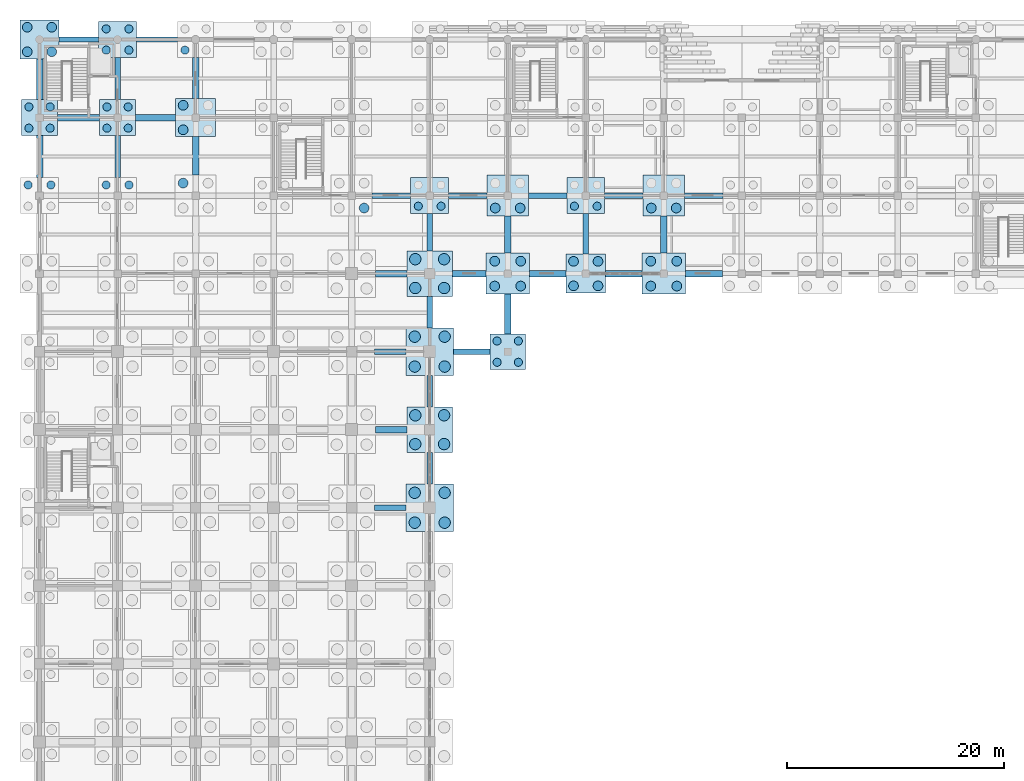
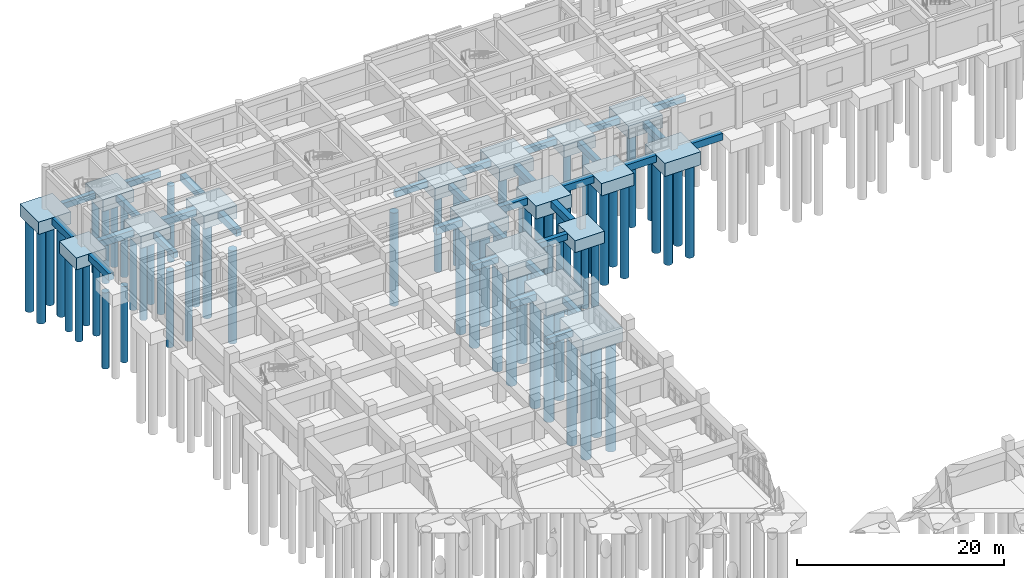
# One storey, part 8 of 79: 65 piles, 49 footings.
"""IFC4 building model written with IfcOpenShell, lengths in metres."""

from ifc_helpers import new_model, si_unit, direction, frame, origin, origin_2d, place, context, subcontext, project, spatial, polyline, rectangle, circle, outline, extrude, material, material_profile, profile_set, type_object, element, save


model = new_model("IFC4")

# Units and contexts
model_context = context("Model", 3, precision=1e-05, world=origin(), true_north=direction((0.0, 1.0)))
body_context = subcontext(model_context, "Body", "Model", "MODEL_VIEW")
ifc_project = project(units=[si_unit("LENGTHUNIT", "METRE"), si_unit("AREAUNIT", "SQUARE_METRE"), si_unit("VOLUMEUNIT", "CUBIC_METRE"), si_unit("PLANEANGLEUNIT", "RADIAN"), si_unit("MASSUNIT", "GRAM", prefix="KILO")], contexts=[model_context])

# Site, building, storey
site_placement = place(None, origin())
site = spatial("IfcSite", under=ifc_project, at=site_placement, CompositionType="ELEMENT")
building_placement = place(site_placement, origin())
building = spatial("IfcBuilding", under=site, at=building_placement, Name="Kavelor Marine Aquarium", CompositionType="ELEMENT")
storey_placement = place(building_placement, origin())
storey = spatial("IfcBuildingStorey", under=building, at=storey_placement, Name="L00", CompositionType="ELEMENT", Elevation=0.0)

# Footings
ifc_material_1 = material(Name="Concrete C40/50", Category="concrete")
footing_type_1 = type_object("IfcFootingType", Name="CAP-PC01", PredefinedType="PILE_CAP", material=ifc_material_1)
footing_1_placement = place(storey_placement, frame((0.0, 0.0, -2.0)))
element("IfcFooting", 1, at=footing_1_placement, inside=storey, type_object=footing_type_1, Name="Pile Cap PC01 (6-J)", PredefinedType="PILE_CAP", context=body_context, shape_type="SweptSolid", body=[
    extrude(outline(polyline([(37.0, 65.39990234375), (41.39990234375, 65.39990234375), (41.39990234375, 69.800048828125), (37.0, 69.800048828125), (37.0, 65.39990234375)])), origin(), (0.0, 0.0, 1.0), 1.64990234375),
])
footing_2_placement = place(storey_placement, frame((0.0, 0.0, -2.0)))
element("IfcFooting", 2, at=footing_2_placement, inside=storey, type_object=footing_type_1, Name="Pile Cap PC01 (6-L)", PredefinedType="PILE_CAP", context=body_context, shape_type="SweptSolid", body=[
    extrude(outline(polyline([(37.0, 79.800048828125), (41.39990234375, 79.800048828125), (41.39990234375, 84.199951171875), (37.0, 84.199951171875), (37.0, 79.800048828125)])), origin(), (0.0, 0.0, 1.0), 1.64990234375),
])
ifc_material_2 = material(Name="Concrete C40/50", Category="concrete")
footing_type_2 = type_object("IfcFootingType", Name="CAP-PC02", PredefinedType="PILE_CAP", material=ifc_material_2)
footing_3_placement = place(storey_placement, frame((0.0, 0.0, -1.949951171875)))
element("IfcFooting", 3, at=footing_3_placement, inside=storey, type_object=footing_type_2, Name="Pile Cap PC02 (6-K)", PredefinedType="PILE_CAP", context=body_context, shape_type="SweptSolid", body=[
    extrude(outline(polyline([(37.10009765625, 72.699951171875), (41.300048828125, 72.699951171875), (41.300048828125, 76.89990234375), (37.10009765625, 76.89990234375), (37.10009765625, 72.699951171875)])), origin(), (0.0, 0.0, 1.0), 1.599853515625),
])
footing_4_placement = place(storey_placement, frame((0.0, 0.0, -1.949951171875)))
element("IfcFooting", 4, at=footing_4_placement, inside=storey, type_object=footing_type_2, Name="Pile Cap PC02 (6-M)", PredefinedType="PILE_CAP", context=body_context, shape_type="SweptSolid", body=[
    extrude(outline(polyline([(37.10009765625, 87.10009765625), (41.300048828125, 87.10009765625), (41.300048828125, 91.300048828125), (37.10009765625, 91.300048828125), (37.10009765625, 87.10009765625)])), origin(), (0.0, 0.0, 1.0), 1.599853515625),
])
ifc_material_3 = material(Name="Concrete C40/50", Category="concrete")
footing_type_3 = type_object("IfcFootingType", Name="CAP-PC03", PredefinedType="PILE_CAP", material=ifc_material_3)
footing_5_placement = place(storey_placement, frame((0.0, 0.0, -1.89990234375)))
element("IfcFooting", 5, at=footing_5_placement, inside=storey, type_object=footing_type_3, Name="Pile Cap PC03 (7-M)", PredefinedType="PILE_CAP", context=body_context, shape_type="SweptSolid", body=[
    extrude(outline(polyline([(44.39990234375, 87.300048828125), (48.39990234375, 87.300048828125), (48.39990234375, 91.10009765625), (44.39990234375, 91.10009765625), (44.39990234375, 87.300048828125)])), origin(), (0.0, 0.0, 1.0), 1.5498046875),
])
footing_6_placement = place(storey_placement, frame((0.0, 0.0, -1.89990234375)))
element("IfcFooting", 6, at=footing_6_placement, inside=storey, type_object=footing_type_3, Name="Pile Cap PC03 (9-M)", PredefinedType="PILE_CAP", context=body_context, shape_type="SweptSolid", body=[
    extrude(outline(polyline([(58.800048828125, 87.300048828125), (62.800048828125, 87.300048828125), (62.800048828125, 91.10009765625), (58.800048828125, 91.10009765625), (58.800048828125, 87.300048828125)])), origin(), (0.0, 0.0, 1.0), 1.5498046875),
])
ifc_material_4 = material(Name="Concrete C40/50", Category="concrete")
footing_type_4 = type_object("IfcFootingType", Name="CAP-PC04", PredefinedType="PILE_CAP", material=ifc_material_4)
footing_7_placement = place(storey_placement, frame((0.0, 0.0, -1.85009765625)))
element("IfcFooting", 7, at=footing_7_placement, inside=storey, type_object=footing_type_4, Name="Pile Cap PC04 (7-N)", PredefinedType="PILE_CAP", context=body_context, shape_type="SweptSolid", body=[
    extrude(outline(polyline([(44.5, 94.5), (48.300048828125, 94.5), (48.300048828125, 98.300048828125), (44.5, 98.300048828125), (44.5, 94.5)])), origin(), (0.0, 0.0, 1.0), 1.5),
])
footing_8_placement = place(storey_placement, frame((0.0, 0.0, -1.85009765625)))
element("IfcFooting", 8, at=footing_8_placement, inside=storey, type_object=footing_type_4, Name="Pile Cap PC04 (9-N)", PredefinedType="PILE_CAP", context=body_context, shape_type="SweptSolid", body=[
    extrude(outline(polyline([(58.89990234375, 94.5), (62.699951171875, 94.5), (62.699951171875, 98.300048828125), (58.89990234375, 98.300048828125), (58.89990234375, 94.5)])), origin(), (0.0, 0.0, 1.0), 1.5),
])
ifc_material_5 = material(Name="Concrete C40/50", Category="concrete")
footing_type_5 = type_object("IfcFootingType", Name="CAP-PC05", PredefinedType="PILE_CAP", material=ifc_material_5)
footing_9_placement = place(storey_placement, frame((0.0, 0.0, -1.85009765625)))
element("IfcFooting", 9, at=footing_9_placement, inside=storey, type_object=footing_type_5, Name="Pile Cap PC05 (3-O)", PredefinedType="PILE_CAP", context=body_context, shape_type="SweptSolid", body=[
    extrude(outline(polyline([(15.75, 101.85009765625), (19.449951171875, 101.85009765625), (19.449951171875, 105.35009765625), (15.75, 105.35009765625), (15.75, 101.85009765625)])), origin(), (0.0, 0.0, 1.0), 1.5),
])
ifc_material_6 = material(Name="Concrete C40/50", Category="concrete")
footing_type_6 = type_object("IfcFootingType", Name="CAP-PC06", PredefinedType="PILE_CAP", material=ifc_material_6)
footing_10_placement = place(storey_placement, frame((0.0, 0.0, -1.800048828125)))
element("IfcFooting", 10, at=footing_10_placement, inside=storey, type_object=footing_type_6, Name="Pile Cap PC06 (1-P)", PredefinedType="PILE_CAP", context=body_context, shape_type="SweptSolid", body=[
    extrude(outline(polyline([(1.39990234375, 109.0), (5.0, 109.0), (5.0, 112.60009765625), (1.39990234375, 112.60009765625), (1.39990234375, 109.0)])), origin(), (0.0, 0.0, 1.0), 1.449951171875),
])
footing_11_placement = place(storey_placement, frame((0.0, 0.0, -1.800048828125)))
element("IfcFooting", 11, at=footing_11_placement, inside=storey, type_object=footing_type_6, Name="Pile Cap PC06 (8-M)", PredefinedType="PILE_CAP", context=body_context, shape_type="SweptSolid", body=[
    extrude(outline(polyline([(51.800048828125, 87.39990234375), (55.39990234375, 87.39990234375), (55.39990234375, 91.0), (51.800048828125, 91.0), (51.800048828125, 87.39990234375)])), origin(), (0.0, 0.0, 1.0), 1.449951171875),
])
ifc_material_7 = material(Name="Concrete C40/50", Category="concrete")
footing_type_7 = type_object("IfcFootingType", Name="CAP-PC07", PredefinedType="PILE_CAP", material=ifc_material_7)
footing_12_placement = place(storey_placement, frame((0.0, 0.0, -1.75)))
element("IfcFooting", 12, at=footing_12_placement, inside=storey, type_object=footing_type_7, Name="Pile Cap PC07 (2-P)", PredefinedType="PILE_CAP", context=body_context, shape_type="SweptSolid", body=[
    extrude(outline(polyline([(8.64990234375, 109.14990234375), (12.14990234375, 109.14990234375), (12.14990234375, 112.449951171875), (8.64990234375, 112.449951171875), (8.64990234375, 109.14990234375)])), origin(), (0.0, 0.0, 1.0), 1.39990234375),
])
footing_13_placement = place(storey_placement, frame((0.0, 0.0, -1.75)))
element("IfcFooting", 13, at=footing_13_placement, inside=storey, type_object=footing_type_7, Name="Pile Cap PC07 (6-N)", PredefinedType="PILE_CAP", context=body_context, shape_type="SweptSolid", body=[
    extrude(outline(polyline([(37.449951171875, 94.75), (40.949951171875, 94.75), (40.949951171875, 98.050048828125), (37.449951171875, 98.050048828125), (37.449951171875, 94.75)])), origin(), (0.0, 0.0, 1.0), 1.39990234375),
])
footing_14_placement = place(storey_placement, frame((0.0, 0.0, -1.75)))
element("IfcFooting", 14, at=footing_14_placement, inside=storey, type_object=footing_type_7, Name="Pile Cap PC07 (8-N)", PredefinedType="PILE_CAP", context=body_context, shape_type="SweptSolid", body=[
    extrude(outline(polyline([(51.85009765625, 94.75), (55.35009765625, 94.75), (55.35009765625, 98.050048828125), (51.85009765625, 98.050048828125), (51.85009765625, 94.75)])), origin(), (0.0, 0.0, 1.0), 1.39990234375),
])
ifc_material_8 = material(Name="Concrete C40/50", Category="concrete")
footing_type_8 = type_object("IfcFootingType", Name="CAP-PC08", PredefinedType="PILE_CAP", material=ifc_material_8)
footing_15_placement = place(storey_placement, frame((0.0, 0.0, -1.75)))
element("IfcFooting", 15, at=footing_15_placement, inside=storey, type_object=footing_type_8, Name="Pile Cap PC08 (1-O)", PredefinedType="PILE_CAP", context=body_context, shape_type="SweptSolid", body=[
    extrude(outline(polyline([(1.550048828125, 101.949951171875), (4.85009765625, 101.949951171875), (4.85009765625, 105.25), (1.550048828125, 105.25), (1.550048828125, 101.949951171875)])), origin(), (0.0, 0.0, 1.0), 1.39990234375),
])
footing_16_placement = place(storey_placement, frame((0.0, 0.0, -1.75)))
element("IfcFooting", 16, at=footing_16_placement, inside=storey, type_object=footing_type_8, Name="Pile Cap PC08 (2-O)", PredefinedType="PILE_CAP", context=body_context, shape_type="SweptSolid", body=[
    extrude(outline(polyline([(8.75, 101.949951171875), (12.050048828125, 101.949951171875), (12.050048828125, 105.25), (8.75, 105.25), (8.75, 101.949951171875)])), origin(), (0.0, 0.0, 1.0), 1.39990234375),
])
footing_17_placement = place(storey_placement, frame((0.0, 0.0, -1.75)))
element("IfcFooting", 17, at=footing_17_placement, inside=storey, type_object=footing_type_8, Name="Pile Cap PC08 (7-L)", PredefinedType="PILE_CAP", context=body_context, shape_type="SweptSolid", body=[
    extrude(outline(polyline([(44.75, 80.35009765625), (48.050048828125, 80.35009765625), (48.050048828125, 83.64990234375), (44.75, 83.64990234375), (44.75, 80.35009765625)])), origin(), (0.0, 0.0, 1.0), 1.39990234375),
])
ifc_material_9 = material(Name="Concrete C40/50", Category="concrete")
ifc_material_profile_1 = material_profile(ifc_material_9, rectangle(XDim=0.60009765625, YDim=0.800048828125, at=origin_2d()), Name="GB 600x800")
ifc_profile_set_1 = profile_set([ifc_material_profile_1], Name="Concrete C40/50")
footing_type_9 = type_object("IfcFootingType", Name="FTB-GB1", PredefinedType="FOOTING_BEAM", material=ifc_profile_set_1)
for number, where, z_axis, x_axis, name in (
    (18, (3.199951171875, 98.050048828125, -0.75), (0.0, 1.0, 0.0), (-1.0, 0.0, 0.0), "ftb:y:00_13"),
    (19, (4.85009765625, 103.60009765625, -0.75), (1.0, 0.0, 0.0), (0.0, 1.0, 0.0), "ftb:x:00_14"),
):
    element("IfcFooting", number, at=place(storey_placement, frame(where, z_axis=z_axis, x_axis=x_axis)), inside=storey, type_object=footing_type_9, Name=name, PredefinedType="FOOTING_BEAM", context=body_context, shape_type="SweptSolid", body=[
        extrude(rectangle(XDim=0.60009765625, YDim=0.800048828125, at=origin_2d()), origin(), (0.0, 0.0, 1.0), 3.89990234375),
    ])
footing_18_placement = place(storey_placement, frame((3.199951171875, 105.25, -0.75), z_axis=(0.0, 1.0, 0.0), x_axis=(-1.0, 0.0, 0.0)))
element("IfcFooting", 20, at=footing_18_placement, inside=storey, type_object=footing_type_9, Name="ftb:y:00_14", PredefinedType="FOOTING_BEAM", context=body_context, shape_type="SweptSolid", body=[
    extrude(rectangle(XDim=0.60009765625, YDim=0.800048828125, at=origin_2d()), origin(), (0.0, 0.0, 1.0), 3.75),
])
footing_19_placement = place(storey_placement, frame((12.050048828125, 103.60009765625, -0.75), z_axis=(1.0, 0.0, 0.0), x_axis=(0.0, 1.0, 0.0)))
element("IfcFooting", 21, at=footing_19_placement, inside=storey, type_object=footing_type_9, Name="ftb:x:01_14", PredefinedType="FOOTING_BEAM", context=body_context, shape_type="SweptSolid", body=[
    extrude(rectangle(XDim=0.60009765625, YDim=0.800048828125, at=origin_2d()), origin(), (0.0, 0.0, 1.0), 3.699951171875),
])
footing_20_placement = place(storey_placement, frame((17.60009765625, 98.300048828125, -0.75), z_axis=(0.0, 1.0, 0.0), x_axis=(-1.0, 0.0, 0.0)))
element("IfcFooting", 22, at=footing_20_placement, inside=storey, type_object=footing_type_9, Name="ftb:y:02_13", PredefinedType="FOOTING_BEAM", context=body_context, shape_type="SweptSolid", body=[
    extrude(rectangle(XDim=0.60009765625, YDim=0.800048828125, at=origin_2d()), origin(), (0.0, 0.0, 1.0), 3.550048828125),
])
footing_21_placement = place(storey_placement, frame((17.60009765625, 105.35009765625, -0.75), z_axis=(0.0, 1.0, 0.0), x_axis=(-1.0, 0.0, 0.0)))
element("IfcFooting", 23, at=footing_21_placement, inside=storey, type_object=footing_type_9, Name="ftb:y:02_14", PredefinedType="FOOTING_BEAM", context=body_context, shape_type="SweptSolid", body=[
    extrude(rectangle(XDim=0.60009765625, YDim=0.800048828125, at=origin_2d()), origin(), (0.0, 0.0, 1.0), 3.7998046875),
])
for number, where, z_axis, x_axis, name in (
    (24, (34.199951171875, 74.800048828125, -0.75), (1.0, 0.0, 0.0), (0.0, 1.0, 0.0), "ftb:x:04_10"),
    (25, (34.199951171875, 89.199951171875, -0.75), (1.0, 0.0, 0.0), (0.0, 1.0, 0.0), "ftb:x:04_12"),
):
    element("IfcFooting", number, at=place(storey_placement, frame(where, z_axis=z_axis, x_axis=x_axis)), inside=storey, type_object=footing_type_9, Name=name, PredefinedType="FOOTING_BEAM", context=body_context, shape_type="SweptSolid", body=[
        extrude(rectangle(XDim=0.60009765625, YDim=0.800048828125, at=origin_2d()), origin(), (0.0, 0.0, 1.0), 2.900146484375),
    ])
footing_22_placement = place(storey_placement, frame((41.300048828125, 89.199951171875, -0.75), z_axis=(1.0, 0.0, 0.0), x_axis=(0.0, 1.0, 0.0)))
element("IfcFooting", 26, at=footing_22_placement, inside=storey, type_object=footing_type_9, Name="ftb:x:05_12", PredefinedType="FOOTING_BEAM", context=body_context, shape_type="SweptSolid", body=[
    extrude(rectangle(XDim=0.60009765625, YDim=0.800048828125, at=origin_2d()), origin(), (0.0, 0.0, 1.0), 3.099853515625),
])
footing_23_placement = place(storey_placement, frame((46.39990234375, 83.64990234375, -0.75), z_axis=(0.0, 1.0, 0.0), x_axis=(-1.0, 0.0, 0.0)))
element("IfcFooting", 27, at=footing_23_placement, inside=storey, type_object=footing_type_9, Name="ftb:y:06_11", PredefinedType="FOOTING_BEAM", context=body_context, shape_type="SweptSolid", body=[
    extrude(rectangle(XDim=0.60009765625, YDim=0.800048828125, at=origin_2d()), origin(), (0.0, 0.0, 1.0), 3.650146484375),
])
footing_24_placement = place(storey_placement, frame((48.39990234375, 89.199951171875, -0.75), z_axis=(1.0, 0.0, 0.0), x_axis=(0.0, 1.0, 0.0)))
element("IfcFooting", 28, at=footing_24_placement, inside=storey, type_object=footing_type_9, Name="ftb:x:06_12", PredefinedType="FOOTING_BEAM", context=body_context, shape_type="SweptSolid", body=[
    extrude(rectangle(XDim=0.60009765625, YDim=0.800048828125, at=origin_2d()), origin(), (0.0, 0.0, 1.0), 3.400146484375),
])
footing_25_placement = place(storey_placement, frame((46.39990234375, 91.10009765625, -0.75), z_axis=(0.0, 1.0, 0.0), x_axis=(-1.0, 0.0, 0.0)))
element("IfcFooting", 29, at=footing_25_placement, inside=storey, type_object=footing_type_9, Name="ftb:y:06_12", PredefinedType="FOOTING_BEAM", context=body_context, shape_type="SweptSolid", body=[
    extrude(rectangle(XDim=0.60009765625, YDim=0.800048828125, at=origin_2d()), origin(), (0.0, 0.0, 1.0), 3.39990234375),
])
footing_26_placement = place(storey_placement, frame((55.39990234375, 89.199951171875, -0.75), z_axis=(1.0, 0.0, 0.0), x_axis=(0.0, 1.0, 0.0)))
element("IfcFooting", 30, at=footing_26_placement, inside=storey, type_object=footing_type_9, Name="ftb:x:07_12", PredefinedType="FOOTING_BEAM", context=body_context, shape_type="SweptSolid", body=[
    extrude(rectangle(XDim=0.60009765625, YDim=0.800048828125, at=origin_2d()), origin(), (0.0, 0.0, 1.0), 3.400146484375),
])
for number, where, z_axis, x_axis, name in (
    (31, (62.800048828125, 89.199951171875, -0.75), (1.0, 0.0, 0.0), (0.0, 1.0, 0.0), "ftb:x:08_12"),
    (32, (60.800048828125, 91.10009765625, -0.75), (0.0, 1.0, 0.0), (-1.0, 0.0, 0.0), "ftb:y:08_12"),
):
    element("IfcFooting", number, at=place(storey_placement, frame(where, z_axis=z_axis, x_axis=x_axis)), inside=storey, type_object=footing_type_9, Name=name, PredefinedType="FOOTING_BEAM", context=body_context, shape_type="SweptSolid", body=[
        extrude(rectangle(XDim=0.60009765625, YDim=0.800048828125, at=origin_2d()), origin(), (0.0, 0.0, 1.0), 3.39990234375),
    ])
ifc_material_10 = material(Name="Concrete C40/50", Category="concrete")
ifc_material_profile_2 = material_profile(ifc_material_10, rectangle(XDim=0.5, YDim=0.699951171875, at=origin_2d()), Name="GB 500x700")
ifc_profile_set_2 = profile_set([ifc_material_profile_2], Name="Concrete C40/50")
footing_type_10 = type_object("IfcFootingType", Name="FTB-GB2", PredefinedType="FOOTING_BEAM", material=ifc_profile_set_2)
footing_27_placement = place(storey_placement, frame((5.0, 110.800048828125, -0.699951171875), z_axis=(1.0, 0.0, 0.0), x_axis=(0.0, 1.0, 0.0)))
element("IfcFooting", 33, at=footing_27_placement, inside=storey, type_object=footing_type_10, Name="ftb:x:00_15", PredefinedType="FOOTING_BEAM", context=body_context, shape_type="SweptSolid", body=[
    extrude(rectangle(XDim=0.5, YDim=0.699951171875, at=origin_2d()), origin(), (0.0, 0.0, 1.0), 3.64990234375),
])
for number, where, z_axis, x_axis, name in (
    (34, (10.39990234375, 98.050048828125, -0.699951171875), (0.0, 1.0, 0.0), (-1.0, 0.0, 0.0), "ftb:y:01_13"),
    (35, (10.39990234375, 105.25, -0.699951171875), (0.0, 1.0, 0.0), (-1.0, 0.0, 0.0), "ftb:y:01_14"),
):
    element("IfcFooting", number, at=place(storey_placement, frame(where, z_axis=z_axis, x_axis=x_axis)), inside=storey, type_object=footing_type_10, Name=name, PredefinedType="FOOTING_BEAM", context=body_context, shape_type="SweptSolid", body=[
        extrude(rectangle(XDim=0.5, YDim=0.699951171875, at=origin_2d()), origin(), (0.0, 0.0, 1.0), 3.89990234375),
    ])
footing_28_placement = place(storey_placement, frame((12.14990234375, 110.800048828125, -0.699951171875), z_axis=(1.0, 0.0, 0.0), x_axis=(0.0, 1.0, 0.0)))
element("IfcFooting", 36, at=footing_28_placement, inside=storey, type_object=footing_type_10, Name="ftb:x:01_15", PredefinedType="FOOTING_BEAM", context=body_context, shape_type="SweptSolid", body=[
    extrude(rectangle(XDim=0.5, YDim=0.699951171875, at=origin_2d()), origin(), (0.0, 0.0, 1.0), 3.800048828125),
])
for number, where, z_axis, x_axis, name in (
    (37, (34.10009765625, 67.60009765625, -0.699951171875), (1.0, 0.0, 0.0), (0.0, 1.0, 0.0), "ftb:x:04_09"),
    (38, (34.10009765625, 82.0, -0.699951171875), (1.0, 0.0, 0.0), (0.0, 1.0, 0.0), "ftb:x:04_11"),
):
    element("IfcFooting", number, at=place(storey_placement, frame(where, z_axis=z_axis, x_axis=x_axis)), inside=storey, type_object=footing_type_10, Name=name, PredefinedType="FOOTING_BEAM", context=body_context, shape_type="SweptSolid", body=[
        extrude(rectangle(XDim=0.5, YDim=0.699951171875, at=origin_2d()), origin(), (0.0, 0.0, 1.0), 2.89990234375),
    ])
footing_29_placement = place(storey_placement, frame((33.89990234375, 96.39990234375, -0.699951171875), z_axis=(1.0, 0.0, 0.0), x_axis=(0.0, 1.0, 0.0)))
element("IfcFooting", 39, at=footing_29_placement, inside=storey, type_object=footing_type_10, Name="ftb:x:04_13", PredefinedType="FOOTING_BEAM", context=body_context, shape_type="SweptSolid", body=[
    extrude(rectangle(XDim=0.5, YDim=0.699951171875, at=origin_2d()), origin(), (0.0, 0.0, 1.0), 3.550048828125),
])
footing_30_placement = place(storey_placement, frame((39.199951171875, 69.800048828125, -0.699951171875), z_axis=(0.0, 1.0, 0.0), x_axis=(-1.0, 0.0, 0.0)))
element("IfcFooting", 40, at=footing_30_placement, inside=storey, type_object=footing_type_10, Name="ftb:y:05_09", PredefinedType="FOOTING_BEAM", context=body_context, shape_type="SweptSolid", body=[
    extrude(rectangle(XDim=0.5, YDim=0.699951171875, at=origin_2d()), origin(), (0.0, 0.0, 1.0), 2.89990234375),
])
footing_31_placement = place(storey_placement, frame((39.199951171875, 76.89990234375, -0.699951171875), z_axis=(0.0, 1.0, 0.0), x_axis=(-1.0, 0.0, 0.0)))
element("IfcFooting", 41, at=footing_31_placement, inside=storey, type_object=footing_type_10, Name="ftb:y:05_10", PredefinedType="FOOTING_BEAM", context=body_context, shape_type="SweptSolid", body=[
    extrude(rectangle(XDim=0.5, YDim=0.699951171875, at=origin_2d()), origin(), (0.0, 0.0, 1.0), 2.900146484375),
])
footing_32_placement = place(storey_placement, frame((41.39990234375, 82.0, -0.699951171875), z_axis=(1.0, 0.0, 0.0), x_axis=(0.0, 1.0, 0.0)))
element("IfcFooting", 42, at=footing_32_placement, inside=storey, type_object=footing_type_10, Name="ftb:x:05_11", PredefinedType="FOOTING_BEAM", context=body_context, shape_type="SweptSolid", body=[
    extrude(rectangle(XDim=0.5, YDim=0.699951171875, at=origin_2d()), origin(), (0.0, 0.0, 1.0), 3.35009765625),
])
footing_33_placement = place(storey_placement, frame((39.199951171875, 84.199951171875, -0.699951171875), z_axis=(0.0, 1.0, 0.0), x_axis=(-1.0, 0.0, 0.0)))
element("IfcFooting", 43, at=footing_33_placement, inside=storey, type_object=footing_type_10, Name="ftb:y:05_11", PredefinedType="FOOTING_BEAM", context=body_context, shape_type="SweptSolid", body=[
    extrude(rectangle(XDim=0.5, YDim=0.699951171875, at=origin_2d()), origin(), (0.0, 0.0, 1.0), 2.900146484375),
])
footing_34_placement = place(storey_placement, frame((39.199951171875, 91.300048828125, -0.699951171875), z_axis=(0.0, 1.0, 0.0), x_axis=(-1.0, 0.0, 0.0)))
element("IfcFooting", 44, at=footing_34_placement, inside=storey, type_object=footing_type_10, Name="ftb:y:05_12", PredefinedType="FOOTING_BEAM", context=body_context, shape_type="SweptSolid", body=[
    extrude(rectangle(XDim=0.5, YDim=0.699951171875, at=origin_2d()), origin(), (0.0, 0.0, 1.0), 3.449951171875),
])
for number, where, z_axis, x_axis, name in (
    (45, (40.949951171875, 96.39990234375, -0.699951171875), (1.0, 0.0, 0.0), (0.0, 1.0, 0.0), "ftb:x:05_13"),
    (46, (48.300048828125, 96.39990234375, -0.699951171875), (1.0, 0.0, 0.0), (0.0, 1.0, 0.0), "ftb:x:06_13"),
):
    element("IfcFooting", number, at=place(storey_placement, frame(where, z_axis=z_axis, x_axis=x_axis)), inside=storey, type_object=footing_type_10, Name=name, PredefinedType="FOOTING_BEAM", context=body_context, shape_type="SweptSolid", body=[
        extrude(rectangle(XDim=0.5, YDim=0.699951171875, at=origin_2d()), origin(), (0.0, 0.0, 1.0), 3.550048828125),
    ])
footing_35_placement = place(storey_placement, frame((53.60009765625, 91.0, -0.699951171875), z_axis=(0.0, 1.0, 0.0), x_axis=(-1.0, 0.0, 0.0)))
element("IfcFooting", 47, at=footing_35_placement, inside=storey, type_object=footing_type_10, Name="ftb:y:07_12", PredefinedType="FOOTING_BEAM", context=body_context, shape_type="SweptSolid", body=[
    extrude(rectangle(XDim=0.5, YDim=0.699951171875, at=origin_2d()), origin(), (0.0, 0.0, 1.0), 3.75),
])
footing_36_placement = place(storey_placement, frame((55.35009765625, 96.39990234375, -0.699951171875), z_axis=(1.0, 0.0, 0.0), x_axis=(0.0, 1.0, 0.0)))
element("IfcFooting", 48, at=footing_36_placement, inside=storey, type_object=footing_type_10, Name="ftb:x:07_13", PredefinedType="FOOTING_BEAM", context=body_context, shape_type="SweptSolid", body=[
    extrude(rectangle(XDim=0.5, YDim=0.699951171875, at=origin_2d()), origin(), (0.0, 0.0, 1.0), 3.5498046875),
])
footing_37_placement = place(storey_placement, frame((62.699951171875, 96.39990234375, -0.699951171875), z_axis=(1.0, 0.0, 0.0), x_axis=(0.0, 1.0, 0.0)))
element("IfcFooting", 49, at=footing_37_placement, inside=storey, type_object=footing_type_10, Name="ftb:x:08_13", PredefinedType="FOOTING_BEAM", context=body_context, shape_type="SweptSolid", body=[
    extrude(rectangle(XDim=0.5, YDim=0.699951171875, at=origin_2d()), origin(), (0.0, 0.0, 1.0), 3.550048828125),
])

# Piles
ifc_material_11 = material(Name="Concrete C40/50", Category="concrete")
ifc_material_profile_3 = material_profile(ifc_material_11, circle(Radius=0.52490234375, at=origin_2d()), Name="PILE D1050")
ifc_profile_set_3 = profile_set([ifc_material_profile_3], Name="Concrete C40/50")
pile_type_1 = type_object("IfcPileType", Name="PILE-P1", PredefinedType="BORED", material=ifc_profile_set_3)
for number, where, z_axis, x_axis, name in (
    (50, (37.820068359375, 66.219970703125, -1.89990234375), (0.0, 0.0, -1.0), (1.0, 0.0, 0.0), "Bored Pile P1 (6-J-1)"),
    (51, (40.580078125, 66.219970703125, -1.89990234375), (0.0, 0.0, -1.0), (1.0, 0.0, 0.0), "Bored Pile P1 (6-J-2)"),
    (52, (37.820068359375, 68.97998046875, -1.89990234375), (0.0, 0.0, -1.0), (1.0, 0.0, 0.0), "Bored Pile P1 (6-J-3)"),
    (53, (40.580078125, 68.97998046875, -1.89990234375), (0.0, 0.0, -1.0), (1.0, 0.0, 0.0), "Bored Pile P1 (6-J-4)"),
    (54, (37.8701171875, 73.469970703125, -1.85009765625), (0.0, 0.0, -1.0), (1.0, 0.0, 0.0), "Bored Pile P1 (6-K-1)"),
    (55, (40.530029296875, 73.469970703125, -1.85009765625), (0.0, 0.0, -1.0), (1.0, 0.0, 0.0), "Bored Pile P1 (6-K-2)"),
    (56, (37.8701171875, 76.1298828125, -1.85009765625), (0.0, 0.0, -1.0), (1.0, 0.0, 0.0), "Bored Pile P1 (6-K-3)"),
    (57, (40.530029296875, 76.1298828125, -1.85009765625), (0.0, 0.0, -1.0), (1.0, 0.0, 0.0), "Bored Pile P1 (6-K-4)"),
    (58, (37.820068359375, 80.6201171875, -1.89990234375), (0.0, 0.0, -1.0), (1.0, 0.0, 0.0), "Bored Pile P1 (6-L-1)"),
    (59, (40.580078125, 80.6201171875, -1.89990234375), (0.0, 0.0, -1.0), (1.0, 0.0, 0.0), "Bored Pile P1 (6-L-2)"),
    (60, (37.820068359375, 83.3798828125, -1.89990234375), (0.0, 0.0, -1.0), (1.0, 0.0, 0.0), "Bored Pile P1 (6-L-3)"),
    (61, (40.580078125, 83.3798828125, -1.89990234375), (0.0, 0.0, -1.0), (1.0, 0.0, 0.0), "Bored Pile P1 (6-L-4)"),
    (62, (37.8701171875, 87.8701171875, -1.85009765625), (0.0, 0.0, -1.0), (1.0, 0.0, 0.0), "Bored Pile P1 (6-M-1)"),
    (63, (40.530029296875, 87.8701171875, -1.85009765625), (0.0, 0.0, -1.0), (1.0, 0.0, 0.0), "Bored Pile P1 (6-M-2)"),
    (64, (37.8701171875, 90.530029296875, -1.85009765625), (0.0, 0.0, -1.0), (1.0, 0.0, 0.0), "Bored Pile P1 (6-M-3)"),
    (65, (40.530029296875, 90.530029296875, -1.85009765625), (0.0, 0.0, -1.0), (1.0, 0.0, 0.0), "Bored Pile P1 (6-M-4)"),
):
    element("IfcPile", number, at=place(storey_placement, frame(where, z_axis=z_axis, x_axis=x_axis)), inside=storey, type_object=pile_type_1, Name=name, PredefinedType="BORED", context=body_context, shape_type="SweptSolid", body=[
        extrude(circle(Radius=0.52490234375, at=origin_2d()), origin(), (0.0, 0.0, 1.0), 13.0),
    ])
ifc_material_12 = material(Name="Concrete C40/50", Category="concrete")
ifc_material_profile_4 = material_profile(ifc_material_12, circle(Radius=0.449951171875, at=origin_2d()), Name="PILE D900")
ifc_profile_set_4 = profile_set([ifc_material_profile_4], Name="Concrete C40/50")
pile_type_2 = type_object("IfcPileType", Name="PILE-P2", PredefinedType="BORED", material=ifc_profile_set_4)
for number, where, z_axis, x_axis, name in (
    (66, (2.070068359375, 109.669921875, -1.699951171875), (0.0, 0.0, -1.0), (1.0, 0.0, 0.0), "Bored Pile P2 (1-P-1)"),
    (67, (4.330078125, 109.669921875, -1.699951171875), (0.0, 0.0, -1.0), (1.0, 0.0, 0.0), "Bored Pile P2 (1-P-2)"),
    (68, (2.070068359375, 111.929931640625, -1.699951171875), (0.0, 0.0, -1.0), (1.0, 0.0, 0.0), "Bored Pile P2 (1-P-3)"),
    (69, (4.330078125, 111.929931640625, -1.699951171875), (0.0, 0.0, -1.0), (1.0, 0.0, 0.0), "Bored Pile P2 (1-P-4)"),
    (70, (16.449951171875, 97.550048828125, -1.75), (0.0, 0.0, -1.0), (1.0, 0.0, 0.0), "Bored Pile P2 (3-N-3)"),
    (71, (16.449951171875, 102.469970703125, -1.75), (0.0, 0.0, -1.0), (1.0, 0.0, 0.0), "Bored Pile P2 (3-O-1)"),
    (72, (16.449951171875, 104.72998046875, -1.75), (0.0, 0.0, -1.0), (1.0, 0.0, 0.0), "Bored Pile P2 (3-O-3)"),
    (73, (33.14990234375, 95.25, -1.75), (0.0, 0.0, -1.0), (1.0, 0.0, 0.0), "Bored Pile P2 (5-N-2)"),
    (74, (45.199951171875, 88.050048828125, -1.800048828125), (0.0, 0.0, -1.0), (1.0, 0.0, 0.0), "Bored Pile P2 (7-M-1)"),
    (75, (47.60009765625, 88.050048828125, -1.800048828125), (0.0, 0.0, -1.0), (1.0, 0.0, 0.0), "Bored Pile P2 (7-M-2)"),
    (76, (45.199951171875, 90.35009765625, -1.800048828125), (0.0, 0.0, -1.0), (1.0, 0.0, 0.0), "Bored Pile P2 (7-M-3)"),
    (77, (47.60009765625, 90.35009765625, -1.800048828125), (0.0, 0.0, -1.0), (1.0, 0.0, 0.0), "Bored Pile P2 (7-M-4)"),
    (78, (45.25, 95.25, -1.75), (0.0, 0.0, -1.0), (1.0, 0.0, 0.0), "Bored Pile P2 (7-N-1)"),
    (79, (47.550048828125, 95.25, -1.75), (0.0, 0.0, -1.0), (1.0, 0.0, 0.0), "Bored Pile P2 (7-N-2)"),
    (80, (52.469970703125, 88.070068359375, -1.699951171875), (0.0, 0.0, -1.0), (1.0, 0.0, 0.0), "Bored Pile P2 (8-M-1)"),
    (81, (54.72998046875, 88.070068359375, -1.699951171875), (0.0, 0.0, -1.0), (1.0, 0.0, 0.0), "Bored Pile P2 (8-M-2)"),
    (82, (52.469970703125, 90.330078125, -1.699951171875), (0.0, 0.0, -1.0), (1.0, 0.0, 0.0), "Bored Pile P2 (8-M-3)"),
    (83, (54.72998046875, 90.330078125, -1.699951171875), (0.0, 0.0, -1.0), (1.0, 0.0, 0.0), "Bored Pile P2 (8-M-4)"),
    (84, (59.60009765625, 88.050048828125, -1.800048828125), (0.0, 0.0, -1.0), (1.0, 0.0, 0.0), "Bored Pile P2 (9-M-1)"),
    (85, (62.0, 88.050048828125, -1.800048828125), (0.0, 0.0, -1.0), (1.0, 0.0, 0.0), "Bored Pile P2 (9-M-2)"),
    (86, (59.60009765625, 90.35009765625, -1.800048828125), (0.0, 0.0, -1.0), (1.0, 0.0, 0.0), "Bored Pile P2 (9-M-3)"),
    (87, (62.0, 90.35009765625, -1.800048828125), (0.0, 0.0, -1.0), (1.0, 0.0, 0.0), "Bored Pile P2 (9-M-4)"),
    (88, (59.64990234375, 95.25, -1.75), (0.0, 0.0, -1.0), (1.0, 0.0, 0.0), "Bored Pile P2 (9-N-1)"),
    (89, (61.949951171875, 95.25, -1.75), (0.0, 0.0, -1.0), (1.0, 0.0, 0.0), "Bored Pile P2 (9-N-2)"),
):
    element("IfcPile", number, at=place(storey_placement, frame(where, z_axis=z_axis, x_axis=x_axis)), inside=storey, type_object=pile_type_2, Name=name, PredefinedType="BORED", context=body_context, shape_type="SweptSolid", body=[
        extrude(circle(Radius=0.449951171875, at=origin_2d()), origin(), (0.0, 0.0, 1.0), 11.0),
    ])
ifc_material_13 = material(Name="Concrete C40/50", Category="concrete")
ifc_material_profile_5 = material_profile(ifc_material_13, circle(Radius=0.375, at=origin_2d()), Name="PILE D750")
ifc_profile_set_5 = profile_set([ifc_material_profile_5], Name="Concrete C40/50")
pile_type_3 = type_object("IfcPileType", Name="PILE-P3", PredefinedType="BORED", material=ifc_profile_set_5)
for number, where, z_axis, x_axis, name in (
    (90, (2.14990234375, 97.3798828125, -1.64990234375), (0.0, 0.0, -1.0), (1.0, 0.0, 0.0), "Bored Pile P3 (1-N-3)"),
    (91, (4.25, 97.3798828125, -1.64990234375), (0.0, 0.0, -1.0), (1.0, 0.0, 0.0), "Bored Pile P3 (1-N-4)"),
    (92, (2.219970703125, 102.6201171875, -1.64990234375), (0.0, 0.0, -1.0), (1.0, 0.0, 0.0), "Bored Pile P3 (1-O-1)"),
    (93, (4.179931640625, 102.6201171875, -1.64990234375), (0.0, 0.0, -1.0), (1.0, 0.0, 0.0), "Bored Pile P3 (1-O-2)"),
    (94, (2.219970703125, 104.580078125, -1.64990234375), (0.0, 0.0, -1.0), (1.0, 0.0, 0.0), "Bored Pile P3 (1-O-3)"),
    (95, (4.179931640625, 104.580078125, -1.64990234375), (0.0, 0.0, -1.0), (1.0, 0.0, 0.0), "Bored Pile P3 (1-O-4)"),
    (96, (9.35009765625, 97.3798828125, -1.64990234375), (0.0, 0.0, -1.0), (1.0, 0.0, 0.0), "Bored Pile P3 (2-N-3)"),
    (97, (11.449951171875, 97.3798828125, -1.64990234375), (0.0, 0.0, -1.0), (1.0, 0.0, 0.0), "Bored Pile P3 (2-N-4)"),
    (98, (9.419921875, 102.6201171875, -1.64990234375), (0.0, 0.0, -1.0), (1.0, 0.0, 0.0), "Bored Pile P3 (2-O-1)"),
    (99, (11.3798828125, 102.6201171875, -1.64990234375), (0.0, 0.0, -1.0), (1.0, 0.0, 0.0), "Bored Pile P3 (2-O-2)"),
    (100, (9.419921875, 104.580078125, -1.64990234375), (0.0, 0.0, -1.0), (1.0, 0.0, 0.0), "Bored Pile P3 (2-O-3)"),
    (101, (11.3798828125, 104.580078125, -1.64990234375), (0.0, 0.0, -1.0), (1.0, 0.0, 0.0), "Bored Pile P3 (2-O-4)"),
    (102, (9.35009765625, 109.820068359375, -1.64990234375), (0.0, 0.0, -1.0), (1.0, 0.0, 0.0), "Bored Pile P3 (2-P-1)"),
    (103, (11.449951171875, 109.820068359375, -1.64990234375), (0.0, 0.0, -1.0), (1.0, 0.0, 0.0), "Bored Pile P3 (2-P-2)"),
    (104, (9.35009765625, 111.780029296875, -1.64990234375), (0.0, 0.0, -1.0), (1.0, 0.0, 0.0), "Bored Pile P3 (2-P-3)"),
    (105, (11.449951171875, 111.780029296875, -1.64990234375), (0.0, 0.0, -1.0), (1.0, 0.0, 0.0), "Bored Pile P3 (2-P-4)"),
    (106, (16.6201171875, 109.820068359375, -1.64990234375), (0.0, 0.0, -1.0), (1.0, 0.0, 0.0), "Bored Pile P3 (3-P-1)"),
    (107, (38.14990234375, 95.419921875, -1.64990234375), (0.0, 0.0, -1.0), (1.0, 0.0, 0.0), "Bored Pile P3 (6-N-1)"),
    (108, (40.25, 95.419921875, -1.64990234375), (0.0, 0.0, -1.0), (1.0, 0.0, 0.0), "Bored Pile P3 (6-N-2)"),
    (109, (45.419921875, 81.02001953125, -1.64990234375), (0.0, 0.0, -1.0), (1.0, 0.0, 0.0), "Bored Pile P3 (7-L-1)"),
    (110, (47.3798828125, 81.02001953125, -1.64990234375), (0.0, 0.0, -1.0), (1.0, 0.0, 0.0), "Bored Pile P3 (7-L-2)"),
    (111, (45.419921875, 82.97998046875, -1.64990234375), (0.0, 0.0, -1.0), (1.0, 0.0, 0.0), "Bored Pile P3 (7-L-3)"),
    (112, (47.3798828125, 82.97998046875, -1.64990234375), (0.0, 0.0, -1.0), (1.0, 0.0, 0.0), "Bored Pile P3 (7-L-4)"),
    (113, (52.550048828125, 95.419921875, -1.64990234375), (0.0, 0.0, -1.0), (1.0, 0.0, 0.0), "Bored Pile P3 (8-N-1)"),
    (114, (54.64990234375, 95.419921875, -1.64990234375), (0.0, 0.0, -1.0), (1.0, 0.0, 0.0), "Bored Pile P3 (8-N-2)"),
):
    element("IfcPile", number, at=place(storey_placement, frame(where, z_axis=z_axis, x_axis=x_axis)), inside=storey, type_object=pile_type_3, Name=name, PredefinedType="BORED", context=body_context, shape_type="SweptSolid", body=[
        extrude(circle(Radius=0.375, at=origin_2d()), origin(), (0.0, 0.0, 1.0), 9.0),
    ])

save(model, "model.ifc")
